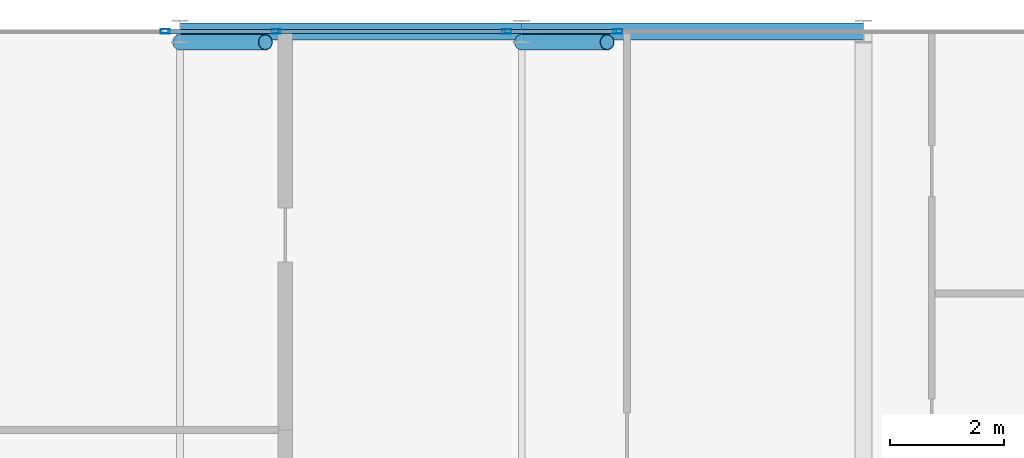
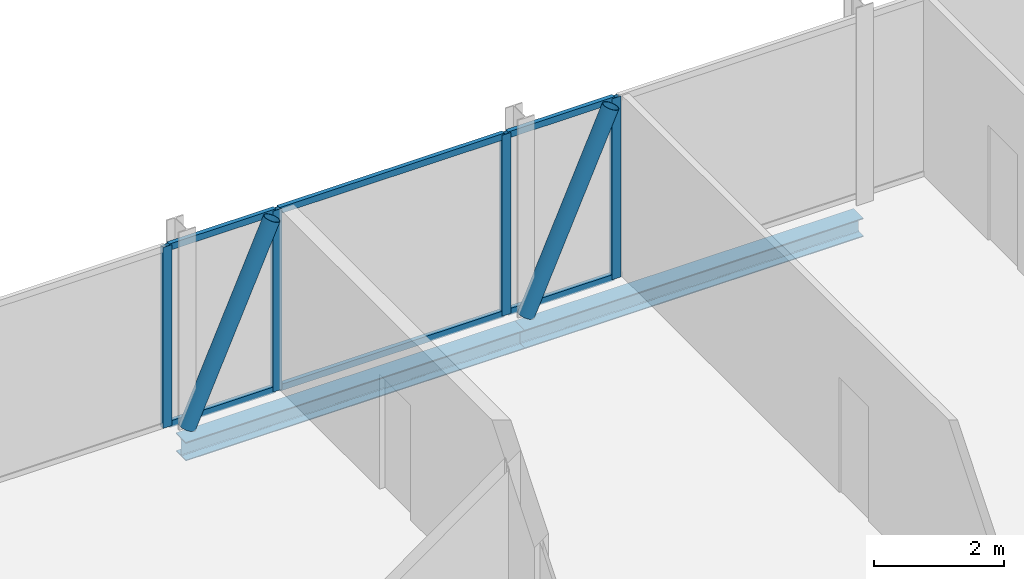
# One storey, part 17 of 27: 12 members, 2 beams, 4 elements without a shape of their own.
"""IFC4 building model written with IfcOpenShell, lengths in metres."""

import ifcopenshell
import ifcopenshell.guid

model = None  # the IFC model being written
_history = None  # IfcOwnerHistory: only IFC2X3 demands one
_inside = {}  # id of a spatial element -> (the spatial element, [elements in it])
_under = {}  # id of a project, library or spatial element -> (it, [spatial elements below it])
_declared = {}  # id of a project -> (the project, [libraries it declares])
_typed = {}  # id of a type object -> (the type object, [elements of that type])
_made_of = {}  # id of a material, layer set ... -> (it, [elements and type objects made of it])


def new_model(schema):
    """Start an empty IFC model of exactly this schema.

    Asked for "IFC4X3", IfcOpenShell would pick the latest addendum, in which some entities
    have other attributes; the version numbers below select the first issue.
    IFC2X3 requires an IfcOwnerHistory on every rooted entity: one is made here for all.
    """
    global model, _history
    if schema == "IFC4X3":
        model = ifcopenshell.file(schema_version=(4, 3, 0, 0))
    else:
        model = ifcopenshell.file(schema=schema)
    _inside.clear()
    _under.clear()
    _declared.clear()
    _typed.clear()
    _made_of.clear()
    _history = None
    if model.schema == "IFC2X3":
        org = make("IfcOrganization", Name="unknown")
        user = make(
            "IfcPersonAndOrganization",
            ThePerson=make("IfcPerson", FamilyName="unknown"),
            TheOrganization=org,
        )
        app = make(
            "IfcApplication",
            ApplicationDeveloper=org,
            Version="unknown",
            ApplicationFullName="unknown",
            ApplicationIdentifier="unknown",
        )
        _history = make(
            "IfcOwnerHistory",
            OwningUser=user,
            OwningApplication=app,
            ChangeAction="ADDED",
            CreationDate=0,
        )
    return model


def make(cls, **values):
    """One entity of the class cls with the attributes given. An attribute that is None is left unset."""
    return model.create_entity(
        cls, **{name: value for name, value in values.items() if value is not None}
    )


def rooted(cls, **values):
    """An entity with a GlobalId (a new one), such as an element, a storey or a relation."""
    return make(cls, GlobalId=ifcopenshell.guid.new(), OwnerHistory=_history, **values)


def si_unit(unit_type, name, prefix=None):
    """IfcSIUnit, for example si_unit("LENGTHUNIT", "METRE", prefix="MILLI")."""
    return make("IfcSIUnit", UnitType=unit_type, Prefix=prefix, Name=name)


def assignment(units):
    """IfcUnitAssignment: the units of a project."""
    return None if units is None else make("IfcUnitAssignment", Units=units)


def point(xyz):
    """IfcCartesianPoint."""
    return None if xyz is None else make("IfcCartesianPoint", Coordinates=xyz)


def direction(xyz):
    """IfcDirection."""
    return None if xyz is None else make("IfcDirection", DirectionRatios=xyz)


def frame(location, z_axis=None, x_axis=None):
    """IfcAxis2Placement3D, a coordinate frame: its origin and axes. An axis left out is left unset."""
    return make(
        "IfcAxis2Placement3D",
        Location=point(location),
        Axis=direction(z_axis),
        RefDirection=direction(x_axis),
    )


def frame_2d(location, x_axis=None):
    """IfcAxis2Placement2D, a coordinate frame in the plane: its origin and x axis."""
    return make(
        "IfcAxis2Placement2D", Location=point(location), RefDirection=direction(x_axis)
    )


def origin():
    """The frame at (0, 0, 0) with its axes left unset."""
    return frame((0.0, 0.0, 0.0))


def origin_2d():
    """The frame at (0, 0) in the plane with its x axis left unset."""
    return frame_2d((0.0, 0.0))


def place(relative_to, where):
    """IfcLocalPlacement: puts the frame where relative to a parent placement (None: the world)."""
    return make(
        "IfcLocalPlacement", PlacementRelTo=relative_to, RelativePlacement=where
    )


def context(
    kind, dimensions, precision=None, world=None, true_north=None, identifier=None
):
    """IfcGeometricRepresentationContext, for example the 3D "Model" context."""
    return make(
        "IfcGeometricRepresentationContext",
        ContextIdentifier=identifier,
        ContextType=kind,
        CoordinateSpaceDimension=dimensions,
        Precision=precision,
        WorldCoordinateSystem=world,
        TrueNorth=true_north,
    )


def subcontext(parent, identifier, kind, view, scale=None):
    """IfcGeometricRepresentationSubContext, for example "Body" below "Model"."""
    return make(
        "IfcGeometricRepresentationSubContext",
        ContextIdentifier=identifier,
        ContextType=kind,
        ParentContext=parent,
        TargetScale=scale,
        TargetView=view,
    )


def project(units=None, contexts=None):
    """IfcProject with its units and contexts."""
    return rooted(
        "IfcProject",
        Name="project",
        RepresentationContexts=contexts,
        UnitsInContext=assignment(units),
    )


def spatial(cls, under=None, at=None, **own):
    """A site, building, storey or space (cls), placed at a placement, below another one or the project."""
    s = rooted(cls, ObjectPlacement=at, **own)
    if under is not None:
        _under.setdefault(under.id(), (under, []))[1].append(s)
    return s


def profile(cls, at=None, kind="AREA", **sizes):
    """A parametric profile (cls). Its sizes go by their IFC names, for example OverallWidth=200.0."""
    return make(cls, ProfileType=kind, Position=at, **sizes)


def hollow_rectangle(**sizes):
    """IfcRectangleHollowProfileDef."""
    return profile("IfcRectangleHollowProfileDef", **sizes)


def hollow_circle(**sizes):
    """IfcCircleHollowProfileDef."""
    return profile("IfcCircleHollowProfileDef", **sizes)


def i_section(**sizes):
    """IfcIShapeProfileDef."""
    return profile("IfcIShapeProfileDef", **sizes)


def extrude(swept, where, along, depth):
    """IfcExtrudedAreaSolid: the profile swept, set in the frame where, extruded along a direction by depth."""
    return make(
        "IfcExtrudedAreaSolid",
        SweptArea=swept,
        Position=where,
        ExtrudedDirection=direction(along),
        Depth=depth,
    )


def shape(context_of_items, identifier, shape_type, items):
    """IfcShapeRepresentation: the items that make up one representation, for example the "Body"."""
    return make(
        "IfcShapeRepresentation",
        ContextOfItems=context_of_items,
        RepresentationIdentifier=identifier,
        RepresentationType=shape_type,
        Items=items,
    )


def material(Name=None, Category=None):
    """IfcMaterial."""
    return make("IfcMaterial", Name=Name, Category=Category)


def layer(
    of_material, thickness, ventilated=None, Name=None, Category=None, Priority=None
):
    """IfcMaterialLayer: one layer of a wall or slab, of a material (None: an air gap)."""
    return make(
        "IfcMaterialLayer",
        Material=of_material,
        LayerThickness=thickness,
        IsVentilated=ventilated,
        Name=Name,
        Category=Category,
        Priority=Priority,
    )


def layer_set(layers, Name=None):
    """IfcMaterialLayerSet."""
    return make("IfcMaterialLayerSet", MaterialLayers=layers, LayerSetName=Name)


def material_profile(
    of_material, cross_section, Name=None, Category=None, Priority=None
):
    """IfcMaterialProfile: a cross section and its material."""
    return make(
        "IfcMaterialProfile",
        Name=Name,
        Material=of_material,
        Profile=cross_section,
        Priority=Priority,
        Category=Category,
    )


def profile_set(profiles, Name=None, composite=None):
    """IfcMaterialProfileSet."""
    return make(
        "IfcMaterialProfileSet",
        Name=Name,
        MaterialProfiles=profiles,
        CompositeProfile=composite,
    )


def made_of(thing, what):
    """Note that an element or type object is made of a material, layer set ...; save() writes the relation."""
    if what is not None:
        _made_of.setdefault(what.id(), (what, []))[1].append(thing)
    return thing


def type_object(cls, material=None, **own):
    """A type object (cls), such as IfcWallType, which elements share."""
    return made_of(rooted(cls, **own), material)


def element(
    cls,
    number,
    at=None,
    inside=None,
    cuts=None,
    type_object=None,
    material=None,
    context=None,
    identifier="Body",
    shape_type=None,
    held_by="IfcProductDefinitionShape",
    body=None,
    shapes=None,
    **own,
):
    """One element of the class cls, such as IfcWall. Its Tag is "e" and its number.

    at: its placement. inside: the storey or other place that contains it. cuts: it is an
    opening in that element (IfcRelVoidsElement). A single representation is given by context,
    identifier, shape_type and body (its items); several are given by shapes. held_by: the class
    of the entity that holds the representations. save() writes the other relations.
    """
    e = rooted(cls, Tag="e%d" % number, ObjectPlacement=at, **own)
    if body is not None:
        shapes = [shape(context, identifier, shape_type, body)]
    if shapes is not None:
        e.Representation = make(held_by, Representations=shapes)
    if inside is not None:
        _inside.setdefault(inside.id(), (inside, []))[1].append(e)
    if cuts is not None:
        rooted(
            "IfcRelVoidsElement", RelatingBuildingElement=cuts, RelatedOpeningElement=e
        )
    if type_object is not None:
        _typed.setdefault(type_object.id(), (type_object, []))[1].append(e)
    return made_of(e, material)


def aggregate(whole, parts):
    """IfcRelAggregates: a whole, such as a stair, and the parts it consists of."""
    return rooted("IfcRelAggregates", RelatingObject=whole, RelatedObjects=parts)


def save(model, path):
    """Write the relations noted so far, then the file.

    IfcRelAggregates (storeys below a building ...), IfcRelContainedInSpatialStructure (elements
    in a storey), IfcRelDefinesByType, IfcRelAssociatesMaterial and IfcRelDeclares: one each for
    every whole, place, type object, material and project.
    """
    for whole, parts in _under.values():
        aggregate(whole, parts)
    for where, things in _inside.values():
        rooted(
            "IfcRelContainedInSpatialStructure",
            RelatedElements=things,
            RelatingStructure=where,
        )
    for kind, things in _typed.values():
        rooted("IfcRelDefinesByType", RelatedObjects=things, RelatingType=kind)
    for what, things in _made_of.values():
        rooted("IfcRelAssociatesMaterial", RelatedObjects=things, RelatingMaterial=what)
    for by, libraries in _declared.values():
        rooted("IfcRelDeclares", RelatingContext=by, RelatedDefinitions=libraries)
    model.write(path)


model = new_model("IFC4")

# Units and contexts
model_context = context("Model", 3, precision=1e-05, world=origin(), true_north=direction((0.0, 1.0)))
body_context = subcontext(model_context, "Body", "Model", "MODEL_VIEW")
ifc_project = project(units=[si_unit("LENGTHUNIT", "METRE"), si_unit("AREAUNIT", "SQUARE_METRE"), si_unit("VOLUMEUNIT", "CUBIC_METRE"), si_unit("PLANEANGLEUNIT", "RADIAN"), si_unit("MASSUNIT", "GRAM", prefix="KILO")], contexts=[model_context])

# Site, building, storey
site_placement = place(None, origin())
site = spatial("IfcSite", under=ifc_project, at=site_placement, CompositionType="ELEMENT")
building_placement = place(site_placement, origin())
building = spatial("IfcBuilding", under=site, at=building_placement, Name="Keshet Zoharim Tower", CompositionType="ELEMENT")
storey_placement = place(building_placement, frame((0.0, 0.0, 247.300048828125)))
storey = spatial("IfcBuildingStorey", under=building, at=storey_placement, Name="L61", CompositionType="ELEMENT", Elevation=247.300048828125)

# Beams
ifc_material_1 = material(Name="Steel S355", Category="steel")
ifc_material_profile_1 = material_profile(ifc_material_1, i_section(OverallWidth=0.300048828125, OverallDepth=0.35009765625, WebThickness=0.010009765625, FlangeThickness=0.017578125, FilletRadius=0.027099609375, at=origin_2d()), Name="HEA360")
ifc_profile_set_1 = profile_set([ifc_material_profile_1], Name="Steel S355")
beam_type = type_object("IfcBeamType", Name="BM-PRI-HA360", PredefinedType="BEAM", material=ifc_profile_set_1)
for number, where, z_axis, x_axis, name in (
    (1, (21.0, 53.89990234375, -0.485107421875), (1.0, 0.0, 0.0), (0.0, 1.0, 0.0), "L61 Primary Girder X-010"),
    (2, (27.0, 53.89990234375, -0.485107421875), (1.0, 0.0, 0.0), (0.0, 1.0, 0.0), "L61 Primary Girder X-011"),
):
    element("IfcBeam", number, at=place(storey_placement, frame(where, z_axis=z_axis, x_axis=x_axis)), inside=storey, type_object=beam_type, Name=name, PredefinedType="BEAM", context=body_context, shape_type="SweptSolid", body=[
        extrude(i_section(OverallWidth=0.300048828125, OverallDepth=0.35009765625, WebThickness=0.010009765625, FlangeThickness=0.017578125, FilletRadius=0.027099609375, at=origin_2d()), origin(), (0.0, 0.0, 1.0), 6.0),
    ])

# Curtain wall, member
ifc_material_2 = material(Name="Aluminium 6063-T6", Category="aluminium")
ifc_layer = layer(ifc_material_2, 0.260009765625)
ifc_layer_set = layer_set([ifc_layer], Name="Aluminium 6063-T6")
curtain_wall_type = type_object("IfcCurtainWallType", Name="CW-SYS-06", PredefinedType="NOTDEFINED", material=ifc_layer_set)
curtain_wall_1_placement = place(storey_placement, origin())
curtain_wall_1 = element("IfcCurtainWall", 3, at=curtain_wall_1_placement, inside=storey, type_object=curtain_wall_type, Name="L61 Unitised Curtain Wall 06", PredefinedType="NOTDEFINED")
ifc_material_profile_2 = material_profile(ifc_material_2, hollow_rectangle(XDim=0.074951171875, YDim=0.159912109375, WallThickness=0.00390625, at=origin_2d()), Name="MUL-75x160")
ifc_profile_set_2 = profile_set([ifc_material_profile_2], Name="Aluminium 6063-T6")
member_type_1 = type_object("IfcMemberType", Name="CWM-M15", PredefinedType="MULLION", material=ifc_profile_set_2)
member_1_placement = place(storey_placement, frame((20.740234375, 53.89990234375, 0.0), z_axis=(0.0, 0.0, 1.0), x_axis=(0.0, 1.0, 0.0)))
member_1 = element("IfcMember", 4, at=member_1_placement, type_object=member_type_1, Name="CW-06 mullion 2", PredefinedType="MULLION", context=body_context, shape_type="SweptSolid", body=[
    extrude(hollow_rectangle(XDim=0.074951171875, YDim=0.159912109375, WallThickness=0.00390625, at=origin_2d()), origin(), (0.0, 0.0, 1.0), 3.389892578125),
])
aggregate(curtain_wall_1, [member_1])

curtain_wall_2_placement = place(storey_placement, origin())
curtain_wall_2 = element("IfcCurtainWall", 5, at=curtain_wall_2_placement, inside=storey, type_object=curtain_wall_type, Name="L61 Unitised Curtain Wall 06 Part 2", PredefinedType="NOTDEFINED")
member_2_placement = place(storey_placement, frame((22.689697265625, 53.89990234375, 0.0), z_axis=(0.0, 0.0, 1.0), x_axis=(0.0, 1.0, 0.0)))
member_2 = element("IfcMember", 6, at=member_2_placement, type_object=member_type_1, Name="CW-06 mullion 2", PredefinedType="MULLION", context=body_context, shape_type="SweptSolid", body=[
    extrude(hollow_rectangle(XDim=0.074951171875, YDim=0.159912109375, WallThickness=0.00390625, at=origin_2d()), origin(), (0.0, 0.0, 1.0), 3.389892578125),
])

curtain_wall_3_placement = place(storey_placement, origin())
curtain_wall_3 = element("IfcCurtainWall", 7, at=curtain_wall_3_placement, inside=storey, type_object=curtain_wall_type, Name="L61 Unitised Curtain Wall 06 Part 3", PredefinedType="NOTDEFINED")
member_3_placement = place(storey_placement, frame((26.740234375, 53.89990234375, 0.0), z_axis=(0.0, 0.0, 1.0), x_axis=(0.0, 1.0, 0.0)))
member_3 = element("IfcMember", 8, at=member_3_placement, type_object=member_type_1, Name="CW-06 mullion 2", PredefinedType="MULLION", context=body_context, shape_type="SweptSolid", body=[
    extrude(hollow_rectangle(XDim=0.074951171875, YDim=0.159912109375, WallThickness=0.00390625, at=origin_2d()), origin(), (0.0, 0.0, 1.0), 3.389892578125),
])

curtain_wall_4_placement = place(storey_placement, origin())
curtain_wall_4 = element("IfcCurtainWall", 9, at=curtain_wall_4_placement, inside=storey, type_object=curtain_wall_type, Name="L61 Unitised Curtain Wall 06 Part 4", PredefinedType="NOTDEFINED")
member_4_placement = place(storey_placement, frame((28.689697265625, 53.89990234375, 0.0), z_axis=(0.0, 0.0, 1.0), x_axis=(0.0, 1.0, 0.0)))
member_4 = element("IfcMember", 10, at=member_4_placement, type_object=member_type_1, Name="CW-06 mullion 2", PredefinedType="MULLION", context=body_context, shape_type="SweptSolid", body=[
    extrude(hollow_rectangle(XDim=0.074951171875, YDim=0.159912109375, WallThickness=0.00390625, at=origin_2d()), origin(), (0.0, 0.0, 1.0), 3.389892578125),
])

# Member
ifc_material_profile_3 = material_profile(ifc_material_2, hollow_rectangle(XDim=0.074951171875, YDim=0.1201171875, WallThickness=0.00390625, at=origin_2d()), Name="TRN-75x120")
ifc_profile_set_3 = profile_set([ifc_material_profile_3], Name="Aluminium 6063-T6")
member_type_2 = type_object("IfcMemberType", Name="CWT-T12", PredefinedType="USERDEFINED", material=ifc_profile_set_3)
member_5_placement = place(storey_placement, frame((20.775146484375, 53.89990234375, 0.034912109375), z_axis=(1.0, 0.0, 0.0), x_axis=(0.0, 1.0, 0.0)))
member_5 = element("IfcMember", 11, at=member_5_placement, type_object=member_type_2, Name="CW-06 transom 1.1", ObjectType="TRANSOM", PredefinedType="USERDEFINED", context=body_context, shape_type="SweptSolid", body=[
    extrude(hollow_rectangle(XDim=0.074951171875, YDim=0.1201171875, WallThickness=0.00390625, at=origin_2d()), origin(), (0.0, 0.0, 1.0), 1.879638671875),
])

member_6_placement = place(storey_placement, frame((20.775146484375, 53.89990234375, 3.35498046875), z_axis=(1.0, 0.0, 0.0), x_axis=(0.0, 1.0, 0.0)))
member_6 = element("IfcMember", 12, at=member_6_placement, type_object=member_type_2, Name="CW-06 transom 1.2", ObjectType="TRANSOM", PredefinedType="USERDEFINED", context=body_context, shape_type="SweptSolid", body=[
    extrude(hollow_rectangle(XDim=0.074951171875, YDim=0.1201171875, WallThickness=0.00390625, at=origin_2d()), origin(), (0.0, 0.0, 1.0), 1.879638671875),
])

aggregate(curtain_wall_2, [member_2, member_5, member_6])

member_7_placement = place(storey_placement, frame((22.724853515625, 53.89990234375, 0.034912109375), z_axis=(1.0, 0.0, 0.0), x_axis=(0.0, 1.0, 0.0)))
member_7 = element("IfcMember", 13, at=member_7_placement, type_object=member_type_2, Name="CW-06 transom 1.1", ObjectType="TRANSOM", PredefinedType="USERDEFINED", context=body_context, shape_type="SweptSolid", body=[
    extrude(hollow_rectangle(XDim=0.074951171875, YDim=0.1201171875, WallThickness=0.00390625, at=origin_2d()), origin(), (0.0, 0.0, 1.0), 3.980224609375),
])

member_8_placement = place(storey_placement, frame((22.724853515625, 53.89990234375, 3.35498046875), z_axis=(1.0, 0.0, 0.0), x_axis=(0.0, 1.0, 0.0)))
member_8 = element("IfcMember", 14, at=member_8_placement, type_object=member_type_2, Name="CW-06 transom 1.2", ObjectType="TRANSOM", PredefinedType="USERDEFINED", context=body_context, shape_type="SweptSolid", body=[
    extrude(hollow_rectangle(XDim=0.074951171875, YDim=0.1201171875, WallThickness=0.00390625, at=origin_2d()), origin(), (0.0, 0.0, 1.0), 3.980224609375),
])

aggregate(curtain_wall_3, [member_3, member_7, member_8])

member_9_placement = place(storey_placement, frame((26.775146484375, 53.89990234375, 0.034912109375), z_axis=(1.0, 0.0, 0.0), x_axis=(0.0, 1.0, 0.0)))
member_9 = element("IfcMember", 15, at=member_9_placement, type_object=member_type_2, Name="CW-06 transom 1.1", ObjectType="TRANSOM", PredefinedType="USERDEFINED", context=body_context, shape_type="SweptSolid", body=[
    extrude(hollow_rectangle(XDim=0.074951171875, YDim=0.1201171875, WallThickness=0.00390625, at=origin_2d()), origin(), (0.0, 0.0, 1.0), 1.879638671875),
])

member_10_placement = place(storey_placement, frame((26.775146484375, 53.89990234375, 3.35498046875), z_axis=(1.0, 0.0, 0.0), x_axis=(0.0, 1.0, 0.0)))
member_10 = element("IfcMember", 16, at=member_10_placement, type_object=member_type_2, Name="CW-06 transom 1.2", ObjectType="TRANSOM", PredefinedType="USERDEFINED", context=body_context, shape_type="SweptSolid", body=[
    extrude(hollow_rectangle(XDim=0.074951171875, YDim=0.1201171875, WallThickness=0.00390625, at=origin_2d()), origin(), (0.0, 0.0, 1.0), 1.879638671875),
])

aggregate(curtain_wall_4, [member_4, member_9, member_10])

# Members
ifc_material_profile_4 = material_profile(ifc_material_1, hollow_circle(Radius=0.136474609375, WallThickness=0.010009765625, at=origin_2d()), Name="CHS273x10")
ifc_profile_set_4 = profile_set([ifc_material_profile_4], Name="Steel S355")
member_type_3 = type_object("IfcMemberType", Name="MB-BR-C273", PredefinedType="BRACE", material=ifc_profile_set_4)
for number, where, z_axis, x_axis, name in (
    (17, (21.0, 53.7099609375, 0.0), (0.40464689807, 0.0, 0.914473011019), (0.0, 1.0, 0.0), "L61 Perimeter Tube Brace 03"),
    (18, (27.0, 53.7099609375, 0.0), (0.40464689807, 0.0, 0.914473011019), (0.0, 1.0, 0.0), "L61 Perimeter Tube Brace 04"),
):
    element("IfcMember", number, at=place(storey_placement, frame(where, z_axis=z_axis, x_axis=x_axis)), inside=storey, type_object=member_type_3, Name=name, PredefinedType="BRACE", context=body_context, shape_type="SweptSolid", body=[
        extrude(hollow_circle(Radius=0.136474609375, WallThickness=0.010009765625, at=origin_2d()), origin(), (0.0, 0.0, 1.0), 3.70703125),
    ])

save(model, "model.ifc")
